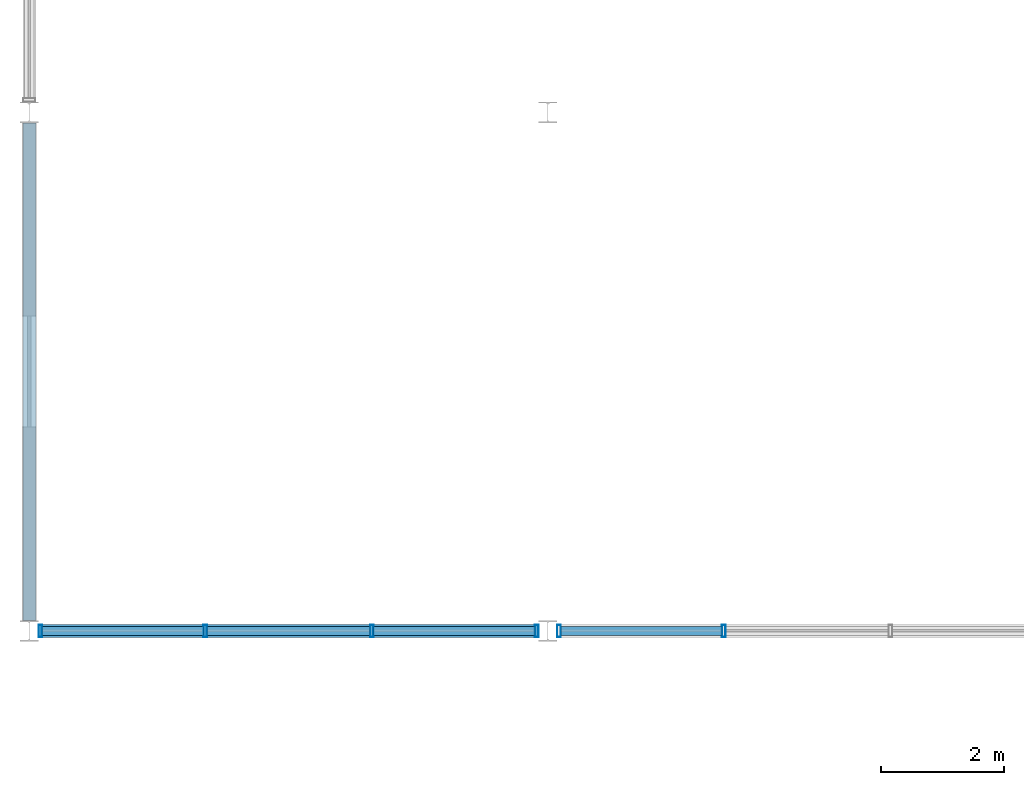
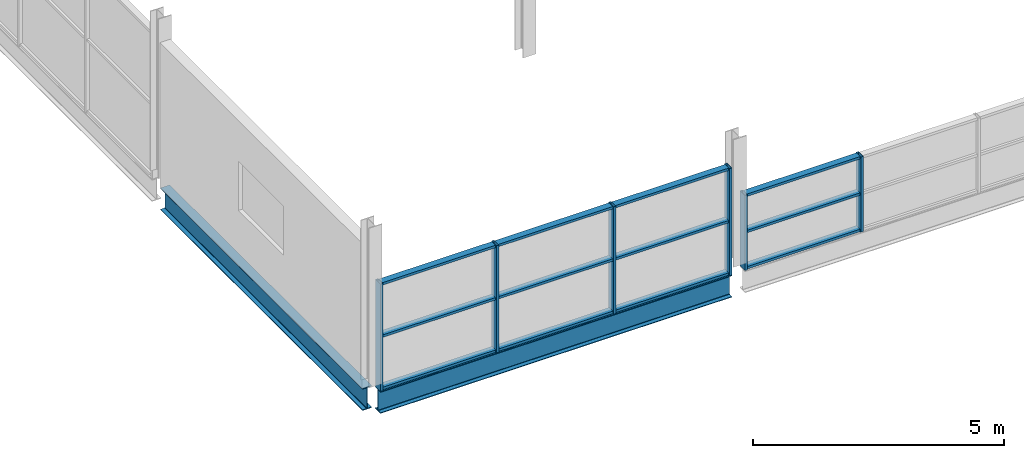
# One storey, part 7 of 43: 18 members, 2 beams, 2 elements without a shape of their own.
"""IFC4 building model written with IfcOpenShell, lengths in metres."""

import ifcopenshell
import ifcopenshell.guid

model = None  # the IFC model being written
_history = None  # IfcOwnerHistory: only IFC2X3 demands one
_inside = {}  # id of a spatial element -> (the spatial element, [elements in it])
_under = {}  # id of a project, library or spatial element -> (it, [spatial elements below it])
_declared = {}  # id of a project -> (the project, [libraries it declares])
_typed = {}  # id of a type object -> (the type object, [elements of that type])
_made_of = {}  # id of a material, layer set ... -> (it, [elements and type objects made of it])


def new_model(schema):
    """Start an empty IFC model of exactly this schema.

    Asked for "IFC4X3", IfcOpenShell would pick the latest addendum, in which some entities
    have other attributes; the version numbers below select the first issue.
    IFC2X3 requires an IfcOwnerHistory on every rooted entity: one is made here for all.
    """
    global model, _history
    if schema == "IFC4X3":
        model = ifcopenshell.file(schema_version=(4, 3, 0, 0))
    else:
        model = ifcopenshell.file(schema=schema)
    _inside.clear()
    _under.clear()
    _declared.clear()
    _typed.clear()
    _made_of.clear()
    _history = None
    if model.schema == "IFC2X3":
        org = make("IfcOrganization", Name="unknown")
        user = make(
            "IfcPersonAndOrganization",
            ThePerson=make("IfcPerson", FamilyName="unknown"),
            TheOrganization=org,
        )
        app = make(
            "IfcApplication",
            ApplicationDeveloper=org,
            Version="unknown",
            ApplicationFullName="unknown",
            ApplicationIdentifier="unknown",
        )
        _history = make(
            "IfcOwnerHistory",
            OwningUser=user,
            OwningApplication=app,
            ChangeAction="ADDED",
            CreationDate=0,
        )
    return model


def make(cls, **values):
    """One entity of the class cls with the attributes given. An attribute that is None is left unset."""
    return model.create_entity(
        cls, **{name: value for name, value in values.items() if value is not None}
    )


def rooted(cls, **values):
    """An entity with a GlobalId (a new one), such as an element, a storey or a relation."""
    return make(cls, GlobalId=ifcopenshell.guid.new(), OwnerHistory=_history, **values)


def si_unit(unit_type, name, prefix=None):
    """IfcSIUnit, for example si_unit("LENGTHUNIT", "METRE", prefix="MILLI")."""
    return make("IfcSIUnit", UnitType=unit_type, Prefix=prefix, Name=name)


def assignment(units):
    """IfcUnitAssignment: the units of a project."""
    return None if units is None else make("IfcUnitAssignment", Units=units)


def point(xyz):
    """IfcCartesianPoint."""
    return None if xyz is None else make("IfcCartesianPoint", Coordinates=xyz)


def direction(xyz):
    """IfcDirection."""
    return None if xyz is None else make("IfcDirection", DirectionRatios=xyz)


def frame(location, z_axis=None, x_axis=None):
    """IfcAxis2Placement3D, a coordinate frame: its origin and axes. An axis left out is left unset."""
    return make(
        "IfcAxis2Placement3D",
        Location=point(location),
        Axis=direction(z_axis),
        RefDirection=direction(x_axis),
    )


def frame_2d(location, x_axis=None):
    """IfcAxis2Placement2D, a coordinate frame in the plane: its origin and x axis."""
    return make(
        "IfcAxis2Placement2D", Location=point(location), RefDirection=direction(x_axis)
    )


def origin():
    """The frame at (0, 0, 0) with its axes left unset."""
    return frame((0.0, 0.0, 0.0))


def origin_2d():
    """The frame at (0, 0) in the plane with its x axis left unset."""
    return frame_2d((0.0, 0.0))


def place(relative_to, where):
    """IfcLocalPlacement: puts the frame where relative to a parent placement (None: the world)."""
    return make(
        "IfcLocalPlacement", PlacementRelTo=relative_to, RelativePlacement=where
    )


def context(
    kind, dimensions, precision=None, world=None, true_north=None, identifier=None
):
    """IfcGeometricRepresentationContext, for example the 3D "Model" context."""
    return make(
        "IfcGeometricRepresentationContext",
        ContextIdentifier=identifier,
        ContextType=kind,
        CoordinateSpaceDimension=dimensions,
        Precision=precision,
        WorldCoordinateSystem=world,
        TrueNorth=true_north,
    )


def subcontext(parent, identifier, kind, view, scale=None):
    """IfcGeometricRepresentationSubContext, for example "Body" below "Model"."""
    return make(
        "IfcGeometricRepresentationSubContext",
        ContextIdentifier=identifier,
        ContextType=kind,
        ParentContext=parent,
        TargetScale=scale,
        TargetView=view,
    )


def project(units=None, contexts=None):
    """IfcProject with its units and contexts."""
    return rooted(
        "IfcProject",
        Name="project",
        RepresentationContexts=contexts,
        UnitsInContext=assignment(units),
    )


def spatial(cls, under=None, at=None, **own):
    """A site, building, storey or space (cls), placed at a placement, below another one or the project."""
    s = rooted(cls, ObjectPlacement=at, **own)
    if under is not None:
        _under.setdefault(under.id(), (under, []))[1].append(s)
    return s


def profile(cls, at=None, kind="AREA", **sizes):
    """A parametric profile (cls). Its sizes go by their IFC names, for example OverallWidth=200.0."""
    return make(cls, ProfileType=kind, Position=at, **sizes)


def hollow_rectangle(**sizes):
    """IfcRectangleHollowProfileDef."""
    return profile("IfcRectangleHollowProfileDef", **sizes)


def i_section(**sizes):
    """IfcIShapeProfileDef."""
    return profile("IfcIShapeProfileDef", **sizes)


def extrude(swept, where, along, depth):
    """IfcExtrudedAreaSolid: the profile swept, set in the frame where, extruded along a direction by depth."""
    return make(
        "IfcExtrudedAreaSolid",
        SweptArea=swept,
        Position=where,
        ExtrudedDirection=direction(along),
        Depth=depth,
    )


def shape(context_of_items, identifier, shape_type, items):
    """IfcShapeRepresentation: the items that make up one representation, for example the "Body"."""
    return make(
        "IfcShapeRepresentation",
        ContextOfItems=context_of_items,
        RepresentationIdentifier=identifier,
        RepresentationType=shape_type,
        Items=items,
    )


def material(Name=None, Category=None):
    """IfcMaterial."""
    return make("IfcMaterial", Name=Name, Category=Category)


def material_profile(
    of_material, cross_section, Name=None, Category=None, Priority=None
):
    """IfcMaterialProfile: a cross section and its material."""
    return make(
        "IfcMaterialProfile",
        Name=Name,
        Material=of_material,
        Profile=cross_section,
        Priority=Priority,
        Category=Category,
    )


def profile_set(profiles, Name=None, composite=None):
    """IfcMaterialProfileSet."""
    return make(
        "IfcMaterialProfileSet",
        Name=Name,
        MaterialProfiles=profiles,
        CompositeProfile=composite,
    )


def made_of(thing, what):
    """Note that an element or type object is made of a material, layer set ...; save() writes the relation."""
    if what is not None:
        _made_of.setdefault(what.id(), (what, []))[1].append(thing)
    return thing


def type_object(cls, material=None, **own):
    """A type object (cls), such as IfcWallType, which elements share."""
    return made_of(rooted(cls, **own), material)


def element(
    cls,
    number,
    at=None,
    inside=None,
    cuts=None,
    type_object=None,
    material=None,
    context=None,
    identifier="Body",
    shape_type=None,
    held_by="IfcProductDefinitionShape",
    body=None,
    shapes=None,
    **own,
):
    """One element of the class cls, such as IfcWall. Its Tag is "e" and its number.

    at: its placement. inside: the storey or other place that contains it. cuts: it is an
    opening in that element (IfcRelVoidsElement). A single representation is given by context,
    identifier, shape_type and body (its items); several are given by shapes. held_by: the class
    of the entity that holds the representations. save() writes the other relations.
    """
    e = rooted(cls, Tag="e%d" % number, ObjectPlacement=at, **own)
    if body is not None:
        shapes = [shape(context, identifier, shape_type, body)]
    if shapes is not None:
        e.Representation = make(held_by, Representations=shapes)
    if inside is not None:
        _inside.setdefault(inside.id(), (inside, []))[1].append(e)
    if cuts is not None:
        rooted(
            "IfcRelVoidsElement", RelatingBuildingElement=cuts, RelatedOpeningElement=e
        )
    if type_object is not None:
        _typed.setdefault(type_object.id(), (type_object, []))[1].append(e)
    return made_of(e, material)


def aggregate(whole, parts):
    """IfcRelAggregates: a whole, such as a stair, and the parts it consists of."""
    return rooted("IfcRelAggregates", RelatingObject=whole, RelatedObjects=parts)


def save(model, path):
    """Write the relations noted so far, then the file.

    IfcRelAggregates (storeys below a building ...), IfcRelContainedInSpatialStructure (elements
    in a storey), IfcRelDefinesByType, IfcRelAssociatesMaterial and IfcRelDeclares: one each for
    every whole, place, type object, material and project.
    """
    for whole, parts in _under.values():
        aggregate(whole, parts)
    for where, things in _inside.values():
        rooted(
            "IfcRelContainedInSpatialStructure",
            RelatedElements=things,
            RelatingStructure=where,
        )
    for kind, things in _typed.values():
        rooted("IfcRelDefinesByType", RelatedObjects=things, RelatingType=kind)
    for what, things in _made_of.values():
        rooted("IfcRelAssociatesMaterial", RelatedObjects=things, RelatingMaterial=what)
    for by, libraries in _declared.values():
        rooted("IfcRelDeclares", RelatingContext=by, RelatedDefinitions=libraries)
    model.write(path)


model = new_model("IFC4")

# Units and contexts
model_context = context("Model", 3, precision=1e-05, world=origin(), true_north=direction((0.0, 1.0)))
body_context = subcontext(model_context, "Body", "Model", "MODEL_VIEW")
ifc_project = project(units=[si_unit("LENGTHUNIT", "METRE"), si_unit("AREAUNIT", "SQUARE_METRE"), si_unit("VOLUMEUNIT", "CUBIC_METRE"), si_unit("PLANEANGLEUNIT", "RADIAN"), si_unit("MASSUNIT", "GRAM", prefix="KILO"), si_unit("THERMODYNAMICTEMPERATUREUNIT", "KELVIN")], contexts=[model_context])

# Site, building, storey
site_placement = place(None, origin())
site = spatial("IfcSite", under=ifc_project, at=site_placement, CompositionType="ELEMENT")
building_placement = place(site_placement, origin())
building = spatial("IfcBuilding", under=site, at=building_placement, Name="Nduvali Passage Aquatics Centre", CompositionType="ELEMENT")
storey_placement = place(building_placement, frame((0.0, 0.0, 17.39990234375)))
storey = spatial("IfcBuildingStorey", under=building, at=storey_placement, Name="L04", CompositionType="ELEMENT", Elevation=17.39990234375)

# Curtain wall, members
ifc_material_1 = material(Name="Aluminium EN AW-6063 T6", Category="aluminium")
curtain_wall_type = type_object("IfcCurtainWallType", Name="ENV-CW-DIVE", PredefinedType="NOTDEFINED", material=ifc_material_1)
curtain_wall_1_placement = place(storey_placement, origin())
curtain_wall_1 = element("IfcCurtainWall", 1, at=curtain_wall_1_placement, inside=storey, type_object=curtain_wall_type, Name="L04 Diving Upper West Clerestory CW 153", PredefinedType="NOTDEFINED")
ifc_material_profile_1 = material_profile(ifc_material_1, hollow_rectangle(XDim=0.06005859375, YDim=0.199951171875, WallThickness=0.00390625, at=origin_2d()), Name="ALU MULLION 60x200x4")
ifc_profile_set_1 = profile_set([ifc_material_profile_1], Name="Aluminium EN AW-6063 T6")
member_type_1 = type_object("IfcMemberType", Name="ENV-MEM-MUL80", PredefinedType="MULLION", material=ifc_profile_set_1)
member_1_placement = place(storey_placement, frame((0.179931640625, 33.60009765625, -0.22998046875), z_axis=(0.0, 0.0, 1.0), x_axis=(1.0, 0.0, 0.0)))
member_1 = element("IfcMember", 2, at=member_1_placement, type_object=member_type_1, Name="Diving Upper West Clerestory CW Mullion 1", PredefinedType="MULLION", context=body_context, shape_type="SweptSolid", body=[
    extrude(hollow_rectangle(XDim=0.06005859375, YDim=0.199951171875, WallThickness=0.00390625, at=origin_2d()), origin(), (0.0, 0.0, 1.0), 2.610107421875),
])
member_2_placement = place(storey_placement, frame((2.85009765625, 33.60009765625, -0.22998046875), z_axis=(0.0, 0.0, 1.0), x_axis=(1.0, 0.0, 0.0)))
member_2 = element("IfcMember", 3, at=member_2_placement, type_object=member_type_1, Name="Diving Upper West Clerestory CW Mullion 2", PredefinedType="MULLION", context=body_context, shape_type="SweptSolid", body=[
    extrude(hollow_rectangle(XDim=0.06005859375, YDim=0.199951171875, WallThickness=0.00390625, at=origin_2d()), origin(), (0.0, 0.0, 1.0), 2.610107421875),
])
member_3_placement = place(storey_placement, frame((5.550048828125, 33.60009765625, -0.22998046875), z_axis=(0.0, 0.0, 1.0), x_axis=(1.0, 0.0, 0.0)))
member_3 = element("IfcMember", 4, at=member_3_placement, type_object=member_type_1, Name="Diving Upper West Clerestory CW Mullion 3", PredefinedType="MULLION", context=body_context, shape_type="SweptSolid", body=[
    extrude(hollow_rectangle(XDim=0.06005859375, YDim=0.199951171875, WallThickness=0.00390625, at=origin_2d()), origin(), (0.0, 0.0, 1.0), 2.610107421875),
])
member_4_placement = place(storey_placement, frame((8.219970703125, 33.60009765625, -0.22998046875), z_axis=(0.0, 0.0, 1.0), x_axis=(1.0, 0.0, 0.0)))
member_4 = element("IfcMember", 5, at=member_4_placement, type_object=member_type_1, Name="Diving Upper West Clerestory CW Mullion 4", PredefinedType="MULLION", context=body_context, shape_type="SweptSolid", body=[
    extrude(hollow_rectangle(XDim=0.06005859375, YDim=0.199951171875, WallThickness=0.00390625, at=origin_2d()), origin(), (0.0, 0.0, 1.0), 2.610107421875),
])

curtain_wall_2_placement = place(storey_placement, origin())
curtain_wall_2 = element("IfcCurtainWall", 6, at=curtain_wall_2_placement, inside=storey, type_object=curtain_wall_type, Name="L04 Diving Upper Mid Clerestory CW 154", PredefinedType="NOTDEFINED")
member_5_placement = place(storey_placement, frame((8.580078125, 33.60009765625, -0.22998046875), z_axis=(0.0, 0.0, 1.0), x_axis=(1.0, 0.0, 0.0)))
member_5 = element("IfcMember", 7, at=member_5_placement, type_object=member_type_1, Name="Diving Upper Mid Clerestory CW Mullion 1", PredefinedType="MULLION", context=body_context, shape_type="SweptSolid", body=[
    extrude(hollow_rectangle(XDim=0.06005859375, YDim=0.199951171875, WallThickness=0.00390625, at=origin_2d()), origin(), (0.0, 0.0, 1.0), 1.830078125),
])
member_6_placement = place(storey_placement, frame((11.25, 33.60009765625, -0.22998046875), z_axis=(0.0, 0.0, 1.0), x_axis=(1.0, 0.0, 0.0)))
member_6 = element("IfcMember", 8, at=member_6_placement, type_object=member_type_1, Name="Diving Upper Mid Clerestory CW Mullion 2", PredefinedType="MULLION", context=body_context, shape_type="SweptSolid", body=[
    extrude(hollow_rectangle(XDim=0.06005859375, YDim=0.199951171875, WallThickness=0.00390625, at=origin_2d()), origin(), (0.0, 0.0, 1.0), 1.830078125),
])

# Member
ifc_material_profile_2 = material_profile(ifc_material_1, hollow_rectangle(XDim=0.14990234375, YDim=0.06005859375, WallThickness=0.00390625, at=origin_2d()), Name="ALU TRANSOM 150x60x4")
ifc_profile_set_2 = profile_set([ifc_material_profile_2], Name="Aluminium EN AW-6063 T6")
member_type_2 = type_object("IfcMemberType", Name="ENV-MEM-TRN80", PredefinedType="USERDEFINED", material=ifc_profile_set_2)
member_7_placement = place(storey_placement, frame((0.2099609375, 33.60009765625, -0.199951171875), z_axis=(1.0, 0.0, 0.0), x_axis=(0.0, 1.0, 0.0)))
member_7 = element("IfcMember", 9, at=member_7_placement, type_object=member_type_2, Name="Diving Upper West Clerestory CW Transom B1-R0", ObjectType="TRANSOM", PredefinedType="USERDEFINED", context=body_context, shape_type="SweptSolid", body=[
    extrude(hollow_rectangle(XDim=0.14990234375, YDim=0.06005859375, WallThickness=0.00390625, at=origin_2d()), origin(), (0.0, 0.0, 1.0), 2.610107421875),
])

member_8_placement = place(storey_placement, frame((0.2099609375, 33.60009765625, 1.0751953125), z_axis=(1.0, 0.0, 0.0), x_axis=(0.0, 1.0, 0.0)))
member_8 = element("IfcMember", 10, at=member_8_placement, type_object=member_type_2, Name="Diving Upper West Clerestory CW Transom B1-R1", ObjectType="TRANSOM", PredefinedType="USERDEFINED", context=body_context, shape_type="SweptSolid", body=[
    extrude(hollow_rectangle(XDim=0.14990234375, YDim=0.06005859375, WallThickness=0.00390625, at=origin_2d()), origin(), (0.0, 0.0, 1.0), 2.610107421875),
])

member_9_placement = place(storey_placement, frame((0.2099609375, 33.60009765625, 2.35009765625), z_axis=(1.0, 0.0, 0.0), x_axis=(0.0, 1.0, 0.0)))
member_9 = element("IfcMember", 11, at=member_9_placement, type_object=member_type_2, Name="Diving Upper West Clerestory CW Transom B1-R2", ObjectType="TRANSOM", PredefinedType="USERDEFINED", context=body_context, shape_type="SweptSolid", body=[
    extrude(hollow_rectangle(XDim=0.14990234375, YDim=0.06005859375, WallThickness=0.00390625, at=origin_2d()), origin(), (0.0, 0.0, 1.0), 2.610107421875),
])

member_10_placement = place(storey_placement, frame((2.8798828125, 33.60009765625, -0.199951171875), z_axis=(1.0, 0.0, 0.0), x_axis=(0.0, 1.0, 0.0)))
member_10 = element("IfcMember", 12, at=member_10_placement, type_object=member_type_2, Name="Diving Upper West Clerestory CW Transom B2-R0", ObjectType="TRANSOM", PredefinedType="USERDEFINED", context=body_context, shape_type="SweptSolid", body=[
    extrude(hollow_rectangle(XDim=0.14990234375, YDim=0.06005859375, WallThickness=0.00390625, at=origin_2d()), origin(), (0.0, 0.0, 1.0), 2.64013671875),
])

member_11_placement = place(storey_placement, frame((2.8798828125, 33.60009765625, 1.0751953125), z_axis=(1.0, 0.0, 0.0), x_axis=(0.0, 1.0, 0.0)))
member_11 = element("IfcMember", 13, at=member_11_placement, type_object=member_type_2, Name="Diving Upper West Clerestory CW Transom B2-R1", ObjectType="TRANSOM", PredefinedType="USERDEFINED", context=body_context, shape_type="SweptSolid", body=[
    extrude(hollow_rectangle(XDim=0.14990234375, YDim=0.06005859375, WallThickness=0.00390625, at=origin_2d()), origin(), (0.0, 0.0, 1.0), 2.64013671875),
])

member_12_placement = place(storey_placement, frame((2.8798828125, 33.60009765625, 2.35009765625), z_axis=(1.0, 0.0, 0.0), x_axis=(0.0, 1.0, 0.0)))
member_12 = element("IfcMember", 14, at=member_12_placement, type_object=member_type_2, Name="Diving Upper West Clerestory CW Transom B2-R2", ObjectType="TRANSOM", PredefinedType="USERDEFINED", context=body_context, shape_type="SweptSolid", body=[
    extrude(hollow_rectangle(XDim=0.14990234375, YDim=0.06005859375, WallThickness=0.00390625, at=origin_2d()), origin(), (0.0, 0.0, 1.0), 2.64013671875),
])

member_13_placement = place(storey_placement, frame((5.580078125, 33.60009765625, -0.199951171875), z_axis=(1.0, 0.0, 0.0), x_axis=(0.0, 1.0, 0.0)))
member_13 = element("IfcMember", 15, at=member_13_placement, type_object=member_type_2, Name="Diving Upper West Clerestory CW Transom B3-R0", ObjectType="TRANSOM", PredefinedType="USERDEFINED", context=body_context, shape_type="SweptSolid", body=[
    extrude(hollow_rectangle(XDim=0.14990234375, YDim=0.06005859375, WallThickness=0.00390625, at=origin_2d()), origin(), (0.0, 0.0, 1.0), 2.60986328125),
])

member_14_placement = place(storey_placement, frame((5.580078125, 33.60009765625, 1.0751953125), z_axis=(1.0, 0.0, 0.0), x_axis=(0.0, 1.0, 0.0)))
member_14 = element("IfcMember", 16, at=member_14_placement, type_object=member_type_2, Name="Diving Upper West Clerestory CW Transom B3-R1", ObjectType="TRANSOM", PredefinedType="USERDEFINED", context=body_context, shape_type="SweptSolid", body=[
    extrude(hollow_rectangle(XDim=0.14990234375, YDim=0.06005859375, WallThickness=0.00390625, at=origin_2d()), origin(), (0.0, 0.0, 1.0), 2.60986328125),
])

member_15_placement = place(storey_placement, frame((5.580078125, 33.60009765625, 2.35009765625), z_axis=(1.0, 0.0, 0.0), x_axis=(0.0, 1.0, 0.0)))
member_15 = element("IfcMember", 17, at=member_15_placement, type_object=member_type_2, Name="Diving Upper West Clerestory CW Transom B3-R2", ObjectType="TRANSOM", PredefinedType="USERDEFINED", context=body_context, shape_type="SweptSolid", body=[
    extrude(hollow_rectangle(XDim=0.14990234375, YDim=0.06005859375, WallThickness=0.00390625, at=origin_2d()), origin(), (0.0, 0.0, 1.0), 2.60986328125),
])

aggregate(curtain_wall_1, [member_1, member_2, member_3, member_4, member_7, member_8, member_9, member_10, member_11, member_12, member_13, member_14, member_15])

member_16_placement = place(storey_placement, frame((8.610107421875, 33.60009765625, -0.199951171875), z_axis=(1.0, 0.0, 0.0), x_axis=(0.0, 1.0, 0.0)))
member_16 = element("IfcMember", 18, at=member_16_placement, type_object=member_type_2, Name="Diving Upper Mid Clerestory CW Transom B1-R0", ObjectType="TRANSOM", PredefinedType="USERDEFINED", context=body_context, shape_type="SweptSolid", body=[
    extrude(hollow_rectangle(XDim=0.14990234375, YDim=0.06005859375, WallThickness=0.00390625, at=origin_2d()), origin(), (0.0, 0.0, 1.0), 2.60986328125),
])

member_17_placement = place(storey_placement, frame((8.610107421875, 33.60009765625, 0.68505859375), z_axis=(1.0, 0.0, 0.0), x_axis=(0.0, 1.0, 0.0)))
member_17 = element("IfcMember", 19, at=member_17_placement, type_object=member_type_2, Name="Diving Upper Mid Clerestory CW Transom B1-R1", ObjectType="TRANSOM", PredefinedType="USERDEFINED", context=body_context, shape_type="SweptSolid", body=[
    extrude(hollow_rectangle(XDim=0.14990234375, YDim=0.06005859375, WallThickness=0.00390625, at=origin_2d()), origin(), (0.0, 0.0, 1.0), 2.60986328125),
])

member_18_placement = place(storey_placement, frame((8.610107421875, 33.60009765625, 1.570068359375), z_axis=(1.0, 0.0, 0.0), x_axis=(0.0, 1.0, 0.0)))
member_18 = element("IfcMember", 20, at=member_18_placement, type_object=member_type_2, Name="Diving Upper Mid Clerestory CW Transom B1-R2", ObjectType="TRANSOM", PredefinedType="USERDEFINED", context=body_context, shape_type="SweptSolid", body=[
    extrude(hollow_rectangle(XDim=0.14990234375, YDim=0.06005859375, WallThickness=0.00390625, at=origin_2d()), origin(), (0.0, 0.0, 1.0), 2.60986328125),
])

aggregate(curtain_wall_2, [member_5, member_6, member_16, member_17, member_18])

# Beams
ifc_material_2 = material(Name="Steel S355", Category="steel")
ifc_material_profile_3 = material_profile(ifc_material_2, i_section(OverallWidth=0.210693359375, OverallDepth=0.53955078125, WebThickness=0.01171875, FlangeThickness=0.018798828125, FilletRadius=0.0126953125, at=origin_2d()), Name="UKB 533x210x109")
ifc_profile_set_3 = profile_set([ifc_material_profile_3], Name="Steel S355")
beam_type_1 = type_object("IfcBeamType", Name="STR-BM-UKB533-EXT", PredefinedType="BEAM", material=ifc_profile_set_3)
beam_1_placement = place(storey_placement, frame((0.0, 33.77001953125, -0.503662109375), z_axis=(0.0, 1.0, 0.0), x_axis=(-1.0, 0.0, 0.0)))
element("IfcBeam", 21, at=beam_1_placement, inside=storey, type_object=beam_type_1, Name="L04 Primary Y-Girder B6E-1353", PredefinedType="BEAM", context=body_context, shape_type="SweptSolid", body=[
    extrude(i_section(OverallWidth=0.210693359375, OverallDepth=0.53955078125, WebThickness=0.01171875, FlangeThickness=0.018798828125, FilletRadius=0.0126953125, at=origin_2d()), origin(), (0.0, 0.0, 1.0), 8.06005859375),
])
ifc_material_profile_4 = material_profile(ifc_material_2, i_section(OverallWidth=0.209228515625, OverallDepth=0.533203125, WebThickness=0.010009765625, FlangeThickness=0.015625, FilletRadius=0.0126953125, at=origin_2d()), Name="UKB 533x210x92")
ifc_profile_set_4 = profile_set([ifc_material_profile_4], Name="Steel S355")
beam_type_2 = type_object("IfcBeamType", Name="STR-BM-UKB533L", PredefinedType="BEAM", material=ifc_profile_set_4)
beam_2_placement = place(storey_placement, frame((0.14990234375, 33.60009765625, -0.50048828125), z_axis=(1.0, 0.0, 0.0), x_axis=(0.0, 1.0, 0.0)))
element("IfcBeam", 22, at=beam_2_placement, inside=storey, type_object=beam_type_2, Name="L04 Primary X-Girder B6A-1321", PredefinedType="BEAM", context=body_context, shape_type="SweptSolid", body=[
    extrude(i_section(OverallWidth=0.209228515625, OverallDepth=0.533203125, WebThickness=0.010009765625, FlangeThickness=0.015625, FilletRadius=0.0126953125, at=origin_2d()), origin(), (0.0, 0.0, 1.0), 8.10009765625),
])

save(model, "model.ifc")
